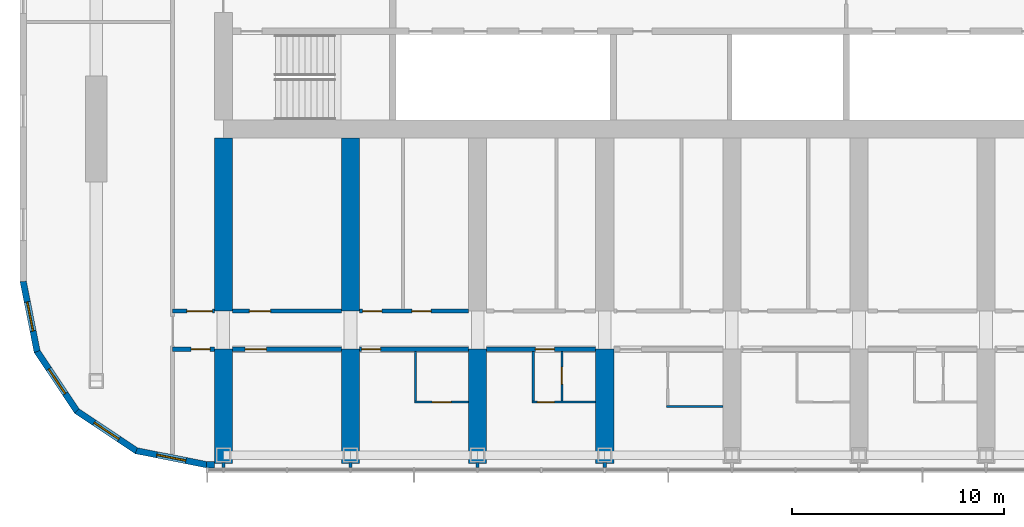
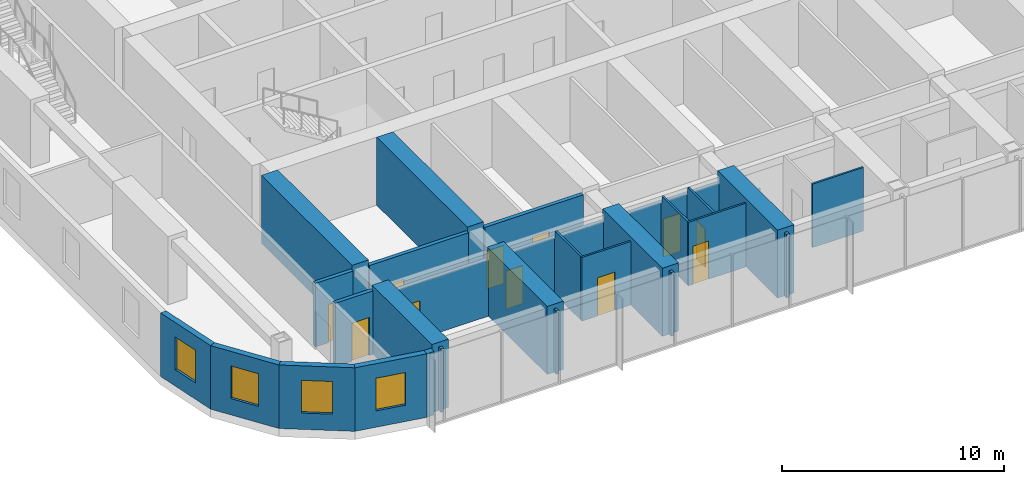
# One storey, part 14 of 29: 28 walls, 11 doors, 4 windows, 15 openings.
"""IFC4 building model written with IfcOpenShell, lengths in metres."""

from ifc_helpers import new_model, si_unit, direction, frame, frame_2d, origin, place, context, subcontext, project, spatial, polyline, rectangle, outline, extrude, material, layer, layer_set, type_object, element, fill, save


model = new_model("IFC4")

# Units and contexts
model_context = context("Model", 3, precision=1e-05, world=origin(), true_north=direction((0.0, 1.0)))
body_context = subcontext(model_context, "Body", "Model", "MODEL_VIEW")
ifc_project = project(units=[si_unit("LENGTHUNIT", "METRE"), si_unit("AREAUNIT", "SQUARE_METRE"), si_unit("VOLUMEUNIT", "CUBIC_METRE"), si_unit("PLANEANGLEUNIT", "RADIAN"), si_unit("MASSUNIT", "GRAM", prefix="KILO")], contexts=[model_context])

# Site, building, storey
site_placement = place(None, origin())
site = spatial("IfcSite", under=ifc_project, at=site_placement, CompositionType="ELEMENT")
building_placement = place(site_placement, origin())
building = spatial("IfcBuilding", under=site, at=building_placement, Name="Orbita Commons", CompositionType="ELEMENT")
storey_placement = place(building_placement, frame((0.0, 0.0, 148.60009765625)))
storey = spatial("IfcBuildingStorey", under=building, at=storey_placement, Name="L36", CompositionType="ELEMENT", Elevation=148.60009765625)

# Wall, opening, door
ifc_material_1 = material(Name="Concrete blockwork", Category="masonry")
ifc_layer_1 = layer(ifc_material_1, 0.199951171875)
ifc_layer_set_1 = layer_set([ifc_layer_1], Name="Concrete blockwork")
wall_type_1 = type_object("IfcWallType", Name="Corridor wall 200 blockwork", PredefinedType="SOLIDWALL", material=ifc_layer_set_1)
wall_1_placement = place(storey_placement, frame((15.60009765625, 15.39990234375, 0.0), z_axis=(0.0, 0.0, 1.0), x_axis=(1.0, 0.0, 0.0)))
wall_1 = element("IfcWall", 1, at=wall_1_placement, inside=storey, type_object=wall_type_1, Name="Corridor wall 200 blockwork L36", PredefinedType="SOLIDWALL", context=body_context, shape_type="SweptSolid", body=[
    extrude(rectangle(XDim=1.974853515625, YDim=0.199951171875, at=frame_2d((0.9873046875, 0.0))), origin(), (0.0, 0.0, 1.0), 3.5),
])
opening_1_placement = place(wall_1_placement, frame((0.875, 0.0, 0.0)))
opening_1 = element("IfcOpeningElement", 2, at=opening_1_placement, cuts=wall_1, Name="Opening D05", PredefinedType="OPENING", context=body_context, shape_type="SweptSolid", body=[
    extrude(rectangle(XDim=0.89990234375, YDim=2.10009765625, at=frame_2d((0.449951171875, 1.050048828125))), frame((0.0, 0.10986328125, 0.0), z_axis=(0.0, -1.0, 0.0), x_axis=(1.0, 0.0, 0.0)), (0.0, 0.0, 1.0), 0.219970703125),
])
ifc_material_2 = material(Name="Steel-faced fire door leaf", Category="steel")
door_type_1 = type_object("IfcDoorType", Name="Service door 20 min 900x2100", OperationType="SINGLE_SWING_LEFT", PredefinedType="DOOR", material=ifc_material_2)
door_1_placement = place(opening_1_placement, origin())
door_1 = element("IfcDoor", 3, at=door_1_placement, inside=storey, type_object=door_type_1, Name="Linen store L36-KWS door", OperationType="SINGLE_SWING_LEFT", OverallHeight=2.10009765625, OverallWidth=0.89990234375, PredefinedType="DOOR", context=body_context, shape_type="SweptSolid", body=[
    extrude(rectangle(XDim=0.89990234375, YDim=2.10009765625, at=frame_2d((0.449951171875, 1.050048828125))), frame((0.0, 0.02490234375, 0.0), z_axis=(0.0, -1.0, 0.0), x_axis=(1.0, 0.0, 0.0)), (0.0, 0.0, 1.0), 0.050048828125),
])
fill(opening_1, door_1)

wall_2_placement = place(storey_placement, frame((18.425048828125, 15.39990234375, 0.0), z_axis=(0.0, 0.0, 1.0), x_axis=(1.0, 0.0, 0.0)))
wall_2 = element("IfcWall", 4, at=wall_2_placement, inside=storey, type_object=wall_type_1, Name="Corridor wall 200 blockwork L36", PredefinedType="SOLIDWALL", context=body_context, shape_type="SweptSolid", body=[
    extrude(outline(polyline([(0.0, 0.0), (5.14990234375, 0.0), (5.14990234375, 3.099853515625), (0.0, 3.099853515625), (0.0, 0.0)])), frame((0.0, 0.10009765625, 0.0), z_axis=(0.0, -1.0, 0.0), x_axis=(1.0, 0.0, 0.0)), (0.0, 0.0, 1.0), 0.199951171875),
])
opening_2_placement = place(wall_2_placement, frame((0.60009765625, 0.0, 0.0)))
opening_2 = element("IfcOpeningElement", 5, at=opening_2_placement, cuts=wall_2, Name="Opening D06", PredefinedType="OPENING", context=body_context, shape_type="SweptSolid", body=[
    extrude(rectangle(XDim=1.0, YDim=2.10009765625, at=frame_2d((0.5, 1.050048828125))), frame((0.0, 0.10986328125, 0.0), z_axis=(0.0, -1.0, 0.0), x_axis=(1.0, 0.0, 0.0)), (0.0, 0.0, 1.0), 0.219970703125),
])
ifc_material_3 = material(Name="Steel-faced fire door leaf", Category="steel")
door_type_2 = type_object("IfcDoorType", Name="Corridor door 20 min 1000x2100", OperationType="SINGLE_SWING_LEFT", PredefinedType="DOOR", material=ifc_material_3)
door_2_placement = place(opening_2_placement, origin())
door_2 = element("IfcDoor", 6, at=door_2_placement, inside=storey, type_object=door_type_2, Name="Mountain-view lounge L36-S00 door", OperationType="SINGLE_SWING_LEFT", OverallHeight=2.10009765625, OverallWidth=1.0, PredefinedType="DOOR", context=body_context, shape_type="SweptSolid", body=[
    extrude(rectangle(XDim=1.0, YDim=2.10009765625, at=frame_2d((0.5, 1.050048828125))), frame((0.0, 0.02490234375, 0.0), z_axis=(0.0, -1.0, 0.0), x_axis=(1.0, 0.0, 0.0)), (0.0, 0.0, 1.0), 0.050048828125),
])
fill(opening_2, door_2)

wall_3_placement = place(storey_placement, frame((24.425048828125, 15.39990234375, 0.0), z_axis=(0.0, 0.0, 1.0), x_axis=(1.0, 0.0, 0.0)))
wall_3 = element("IfcWall", 7, at=wall_3_placement, inside=storey, type_object=wall_type_1, Name="Corridor wall 200 blockwork L36", PredefinedType="SOLIDWALL", context=body_context, shape_type="SweptSolid", body=[
    extrude(outline(polyline([(0.0, 0.0), (5.14990234375, 0.0), (5.14990234375, 3.099853515625), (0.0, 3.099853515625), (0.0, 0.0)])), frame((0.0, 0.10009765625, 0.0), z_axis=(0.0, -1.0, 0.0), x_axis=(1.0, 0.0, 0.0)), (0.0, 0.0, 1.0), 0.199951171875),
])
opening_3_placement = place(wall_3_placement, frame((0.10009765625, 0.0, 0.0)))
opening_3 = element("IfcOpeningElement", 8, at=opening_3_placement, cuts=wall_3, Name="Opening D11", PredefinedType="OPENING", context=body_context, shape_type="SweptSolid", body=[
    extrude(rectangle(XDim=0.89990234375, YDim=2.10009765625, at=frame_2d((0.449951171875, 1.050048828125))), frame((0.0, 0.10986328125, 0.0), z_axis=(0.0, -1.0, 0.0), x_axis=(1.0, 0.0, 0.0)), (0.0, 0.0, 1.0), 0.219970703125),
])
ifc_material_4 = material(Name="Steel-faced fire door leaf", Category="steel")
door_type_3 = type_object("IfcDoorType", Name="Corridor door 20 min 900x2100", OperationType="SINGLE_SWING_LEFT", PredefinedType="DOOR", material=ifc_material_4)
door_3_placement = place(opening_3_placement, origin())
door_3 = element("IfcDoor", 9, at=door_3_placement, inside=storey, type_object=door_type_3, Name="Twin room L36-S02 door", OperationType="SINGLE_SWING_LEFT", OverallHeight=2.10009765625, OverallWidth=0.89990234375, PredefinedType="DOOR", context=body_context, shape_type="SweptSolid", body=[
    extrude(rectangle(XDim=0.89990234375, YDim=2.10009765625, at=frame_2d((0.449951171875, 1.050048828125))), frame((0.0, 0.02490234375, 0.0), z_axis=(0.0, -1.0, 0.0), x_axis=(1.0, 0.0, 0.0)), (0.0, 0.0, 1.0), 0.050048828125),
])
fill(opening_3, door_3)

wall_4_placement = place(storey_placement, frame((30.425048828125, 15.39990234375, 0.0), z_axis=(0.0, 0.0, 1.0), x_axis=(1.0, 0.0, 0.0)))
wall_4 = element("IfcWall", 10, at=wall_4_placement, inside=storey, type_object=wall_type_1, Name="Corridor wall 200 blockwork L36", PredefinedType="SOLIDWALL", context=body_context, shape_type="SweptSolid", body=[
    extrude(outline(polyline([(0.0, 0.0), (5.14990234375, 0.0), (5.14990234375, 3.099853515625), (0.0, 3.099853515625), (0.0, 0.0)])), frame((0.0, 0.10009765625, 0.0), z_axis=(0.0, -1.0, 0.0), x_axis=(1.0, 0.0, 0.0)), (0.0, 0.0, 1.0), 0.199951171875),
])
opening_4_placement = place(wall_4_placement, frame((2.300048828125, 0.0, 0.0)))
opening_4 = element("IfcOpeningElement", 11, at=opening_4_placement, cuts=wall_4, Name="Opening D11", PredefinedType="OPENING", context=body_context, shape_type="SweptSolid", body=[
    extrude(rectangle(XDim=0.89990234375, YDim=2.10009765625, at=frame_2d((0.449951171875, 1.050048828125))), frame((0.0, 0.10986328125, 0.0), z_axis=(0.0, -1.0, 0.0), x_axis=(1.0, 0.0, 0.0)), (0.0, 0.0, 1.0), 0.219970703125),
])
door_4_placement = place(opening_4_placement, origin())
door_4 = element("IfcDoor", 12, at=door_4_placement, inside=storey, type_object=door_type_3, Name="Studio flat L36-S04 entrance door", OperationType="SINGLE_SWING_LEFT", OverallHeight=2.10009765625, OverallWidth=0.89990234375, PredefinedType="DOOR", context=body_context, shape_type="SweptSolid", body=[
    extrude(rectangle(XDim=0.89990234375, YDim=2.10009765625, at=frame_2d((0.449951171875, 1.050048828125))), frame((0.0, 0.02490234375, 0.0), z_axis=(0.0, -1.0, 0.0), x_axis=(1.0, 0.0, 0.0)), (0.0, 0.0, 1.0), 0.050048828125),
])
fill(opening_4, door_4)

ifc_material_5 = material(Name="Hollow concrete block 200", Category="concrete")
ifc_layer_2 = layer(ifc_material_5, 0.199951171875)
ifc_layer_set_2 = layer_set([ifc_layer_2], Name="Hollow concrete block 200")
wall_type_2 = type_object("IfcWallType", Name="Corridor wall 200 hollow concrete block", PredefinedType="SOLIDWALL", material=ifc_layer_set_2)
wall_5_placement = place(storey_placement, frame((15.60009765625, 17.199951171875, 0.0), z_axis=(0.0, 0.0, 1.0), x_axis=(1.0, 0.0, 0.0)))
wall_5 = element("IfcWall", 13, at=wall_5_placement, inside=storey, type_object=wall_type_2, Name="Corridor wall 200 hollow concrete block L36", PredefinedType="SOLIDWALL", context=body_context, shape_type="SweptSolid", body=[
    extrude(rectangle(XDim=1.974853515625, YDim=0.199951171875, at=frame_2d((0.9873046875, 0.0))), origin(), (0.0, 0.0, 1.0), 3.5),
])
opening_5_placement = place(wall_5_placement, frame((0.675048828125, 0.0, 0.0)))
opening_5 = element("IfcOpeningElement", 14, at=opening_5_placement, cuts=wall_5, Name="Opening D12", PredefinedType="OPENING", context=body_context, shape_type="SweptSolid", body=[
    extrude(rectangle(XDim=1.199951171875, YDim=2.10009765625, at=frame_2d((0.60009765625, 1.050048828125))), frame((0.0, 0.10986328125, 0.0), z_axis=(0.0, -1.0, 0.0), x_axis=(1.0, 0.0, 0.0)), (0.0, 0.0, 1.0), 0.219970703125),
])
ifc_material_6 = material(Name="Steel-faced fire door leaf", Category="steel")
door_type_4 = type_object("IfcDoorType", Name="Double corridor door 20 min 1200x2100", OperationType="DOUBLE_DOOR_SINGLE_SWING", PredefinedType="DOOR", material=ifc_material_6)
door_5_placement = place(opening_5_placement, origin())
door_5 = element("IfcDoor", 15, at=door_5_placement, inside=storey, type_object=door_type_4, Name="Cross corridor doors", OperationType="DOUBLE_DOOR_SINGLE_SWING", OverallHeight=2.10009765625, OverallWidth=1.199951171875, PredefinedType="DOOR", context=body_context, shape_type="SweptSolid", body=[
    extrude(rectangle(XDim=1.199951171875, YDim=2.10009765625, at=frame_2d((0.60009765625, 1.050048828125))), frame((0.0, 0.02490234375, 0.0), z_axis=(0.0, -1.0, 0.0), x_axis=(1.0, 0.0, 0.0)), (0.0, 0.0, 1.0), 0.050048828125),
])
fill(opening_5, door_5)

wall_6_placement = place(storey_placement, frame((18.425048828125, 17.199951171875, 0.0), z_axis=(0.0, 0.0, 1.0), x_axis=(1.0, 0.0, 0.0)))
wall_6 = element("IfcWall", 16, at=wall_6_placement, inside=storey, type_object=wall_type_2, Name="Corridor wall 200 hollow concrete block L36", PredefinedType="SOLIDWALL", context=body_context, shape_type="SweptSolid", body=[
    extrude(rectangle(XDim=5.14990234375, YDim=0.199951171875, at=frame_2d((2.574951171875, 0.0))), origin(), (0.0, 0.0, 1.0), 3.5),
])
opening_6_placement = place(wall_6_placement, frame((0.800048828125, 0.0, 0.0)))
opening_6 = element("IfcOpeningElement", 17, at=opening_6_placement, cuts=wall_6, Name="Opening D06", PredefinedType="OPENING", context=body_context, shape_type="SweptSolid", body=[
    extrude(rectangle(XDim=1.0, YDim=2.10009765625, at=frame_2d((0.5, 1.050048828125))), frame((0.0, 0.10986328125, 0.0), z_axis=(0.0, -1.0, 0.0), x_axis=(1.0, 0.0, 0.0)), (0.0, 0.0, 1.0), 0.219970703125),
])
door_6_placement = place(opening_6_placement, origin())
door_6 = element("IfcDoor", 18, at=door_6_placement, inside=storey, type_object=door_type_2, Name="Drying room L36-BDS18 door", OperationType="SINGLE_SWING_LEFT", OverallHeight=2.10009765625, OverallWidth=1.0, PredefinedType="DOOR", context=body_context, shape_type="SweptSolid", body=[
    extrude(rectangle(XDim=1.0, YDim=2.10009765625, at=frame_2d((0.5, 1.050048828125))), frame((0.0, 0.02490234375, 0.0), z_axis=(0.0, -1.0, 0.0), x_axis=(1.0, 0.0, 0.0)), (0.0, 0.0, 1.0), 0.050048828125),
])
fill(opening_6, door_6)

# Wall, openings, doors
wall_7_placement = place(storey_placement, frame((24.425048828125, 17.199951171875, 0.0), z_axis=(0.0, 0.0, 1.0), x_axis=(1.0, 0.0, 0.0)))
wall_7 = element("IfcWall", 19, at=wall_7_placement, inside=storey, type_object=wall_type_2, Name="Corridor wall 200 hollow concrete block L36", PredefinedType="SOLIDWALL", context=body_context, shape_type="SweptSolid", body=[
    extrude(rectangle(XDim=5.14990234375, YDim=0.199951171875, at=frame_2d((2.574951171875, 0.0))), origin(), (0.0, 0.0, 1.0), 3.5),
])
opening_7_placement = place(wall_7_placement, frame((0.14990234375, 0.0, 0.0)))
opening_7 = element("IfcOpeningElement", 20, at=opening_7_placement, cuts=wall_7, Name="Opening D11", PredefinedType="OPENING", context=body_context, shape_type="SweptSolid", body=[
    extrude(rectangle(XDim=0.89990234375, YDim=2.10009765625, at=frame_2d((0.449951171875, 1.050048828125))), frame((0.0, 0.10986328125, 0.0), z_axis=(0.0, -1.0, 0.0), x_axis=(1.0, 0.0, 0.0)), (0.0, 0.0, 1.0), 0.219970703125),
])
opening_8_placement = place(wall_7_placement, frame((2.47509765625, 0.0, 0.0)))
opening_8 = element("IfcOpeningElement", 21, at=opening_8_placement, cuts=wall_7, Name="Opening D11", PredefinedType="OPENING", context=body_context, shape_type="SweptSolid", body=[
    extrude(rectangle(XDim=0.89990234375, YDim=2.10009765625, at=frame_2d((0.449951171875, 1.050048828125))), frame((0.0, 0.10986328125, 0.0), z_axis=(0.0, -1.0, 0.0), x_axis=(1.0, 0.0, 0.0)), (0.0, 0.0, 1.0), 0.219970703125),
])
door_7_placement = place(opening_7_placement, origin())
door_7 = element("IfcDoor", 22, at=door_7_placement, inside=storey, type_object=door_type_3, Name="Media room L36-BDS24 door", OperationType="SINGLE_SWING_LEFT", OverallHeight=2.10009765625, OverallWidth=0.89990234375, PredefinedType="DOOR", context=body_context, shape_type="SweptSolid", body=[
    extrude(rectangle(XDim=0.89990234375, YDim=2.10009765625, at=frame_2d((0.449951171875, 1.050048828125))), frame((0.0, 0.02490234375, 0.0), z_axis=(0.0, -1.0, 0.0), x_axis=(1.0, 0.0, 0.0)), (0.0, 0.0, 1.0), 0.050048828125),
])
fill(opening_7, door_7)
door_8_placement = place(opening_8_placement, origin())
door_8 = element("IfcDoor", 23, at=door_8_placement, inside=storey, type_object=door_type_3, Name="Accessible WC and shower room L36-BDS24n door", OperationType="SINGLE_SWING_LEFT", OverallHeight=2.10009765625, OverallWidth=0.89990234375, PredefinedType="DOOR", context=body_context, shape_type="SweptSolid", body=[
    extrude(rectangle(XDim=0.89990234375, YDim=2.10009765625, at=frame_2d((0.449951171875, 1.050048828125))), frame((0.0, 0.02490234375, 0.0), z_axis=(0.0, -1.0, 0.0), x_axis=(1.0, 0.0, 0.0)), (0.0, 0.0, 1.0), 0.050048828125),
])
fill(opening_8, door_8)

# Walls
ifc_material_7 = material(Name="Concrete C50/60", Category="concrete")
ifc_layer_3 = layer(ifc_material_7, 0.85009765625)
ifc_layer_set_3 = layer_set([ifc_layer_3], Name="Concrete C50/60")
wall_type_3 = type_object("IfcWallType", Name="Cross wall 850 C50/60", PredefinedType="SHEAR", material=ifc_layer_set_3)
wall_8_placement = place(storey_placement, frame((18.0, 10.0, 0.0), z_axis=(0.0, 0.0, 1.0), x_axis=(0.0, 1.0, 0.0)))
element("IfcWall", 24, at=wall_8_placement, inside=storey, type_object=wall_type_3, Name="Cross wall 4 south outer L36", PredefinedType="SHEAR", context=body_context, shape_type="SweptSolid", body=[
    extrude(rectangle(XDim=5.39990234375, YDim=0.85009765625, at=frame_2d((2.699951171875, 0.0))), origin(), (0.0, 0.0, 1.0), 3.75),
])
wall_9_placement = place(storey_placement, frame((18.0, 17.199951171875, 0.0), z_axis=(0.0, 0.0, 1.0), x_axis=(0.0, 1.0, 0.0)))
element("IfcWall", 25, at=wall_9_placement, inside=storey, type_object=wall_type_3, Name="Cross wall 4 south inner L36", PredefinedType="SHEAR", context=body_context, shape_type="SweptSolid", body=[
    extrude(rectangle(XDim=8.175048828125, YDim=0.85009765625, at=frame_2d((4.08740234375, 0.0))), origin(), (0.0, 0.0, 1.0), 3.75),
])
wall_10_placement = place(storey_placement, frame((24.0, 10.0, 0.0), z_axis=(0.0, 0.0, 1.0), x_axis=(0.0, 1.0, 0.0)))
element("IfcWall", 26, at=wall_10_placement, inside=storey, type_object=wall_type_3, Name="Cross wall 5 south outer L36", PredefinedType="SHEAR", context=body_context, shape_type="SweptSolid", body=[
    extrude(rectangle(XDim=5.39990234375, YDim=0.85009765625, at=frame_2d((2.699951171875, 0.0))), origin(), (0.0, 0.0, 1.0), 3.75),
])
wall_11_placement = place(storey_placement, frame((24.0, 17.199951171875, 0.0), z_axis=(0.0, 0.0, 1.0), x_axis=(0.0, 1.0, 0.0)))
element("IfcWall", 27, at=wall_11_placement, inside=storey, type_object=wall_type_3, Name="Cross wall 5 south inner L36", PredefinedType="SHEAR", context=body_context, shape_type="SweptSolid", body=[
    extrude(rectangle(XDim=8.175048828125, YDim=0.85009765625, at=frame_2d((4.08740234375, 0.0))), origin(), (0.0, 0.0, 1.0), 3.75),
])
for number, where, z_axis, x_axis, name in (
    (28, (30.0, 10.0, 0.0), (0.0, 0.0, 1.0), (0.0, 1.0, 0.0), "Cross wall 6 south outer L36"),
    (29, (36.0, 10.0, 0.0), (0.0, 0.0, 1.0), (0.0, 1.0, 0.0), "Cross wall 7 south outer L36"),
):
    element("IfcWall", number, at=place(storey_placement, frame(where, z_axis=z_axis, x_axis=x_axis)), inside=storey, type_object=wall_type_3, Name=name, PredefinedType="SHEAR", context=body_context, shape_type="SweptSolid", body=[
        extrude(rectangle(XDim=5.39990234375, YDim=0.85009765625, at=frame_2d((2.699951171875, 0.0))), origin(), (0.0, 0.0, 1.0), 3.75),
    ])

# Wall, opening, door
ifc_material_8 = material(Name="Moisture-resistant plasterboard on steel studs", Category="steel")
ifc_layer_4 = layer(ifc_material_8, 0.10009765625)
ifc_layer_set_4 = layer_set([ifc_layer_4], Name="Moisture-resistant plasterboard on steel studs")
wall_type_4 = type_object("IfcWallType", Name="En-suite partition 100", PredefinedType="PARTITIONING", material=ifc_layer_set_4)
wall_12_placement = place(storey_placement, frame((29.574951171875, 12.89990234375, 0.0), z_axis=(0.0, 0.0, 1.0), x_axis=(-1.0, 0.0, 0.0)))
wall_12 = element("IfcWall", 30, at=wall_12_placement, inside=storey, type_object=wall_type_4, Name="En-suite partition 100 L36", PredefinedType="PARTITIONING", context=body_context, shape_type="SweptSolid", body=[
    extrude(rectangle(XDim=2.550048828125, YDim=0.10009765625, at=frame_2d((1.27490234375, 0.0))), origin(), (0.0, 0.0, 1.0), 3.5),
])
opening_9_placement = place(wall_12_placement, frame((0.824951171875, 0.0, 0.0)))
opening_9 = element("IfcOpeningElement", 31, at=opening_9_placement, cuts=wall_12, Name="Opening D09", PredefinedType="OPENING", context=body_context, shape_type="SweptSolid", body=[
    extrude(rectangle(XDim=0.89990234375, YDim=2.10009765625, at=frame_2d((0.449951171875, 1.050048828125))), frame((0.0, 0.06005859375, 0.0), z_axis=(0.0, -1.0, 0.0), x_axis=(1.0, 0.0, 0.0)), (0.0, 0.0, 1.0), 0.1201171875),
])
ifc_material_9 = material(Name="Laminated timber door leaf", Category="wood")
door_type_5 = type_object("IfcDoorType", Name="En-suite door 900x2100", OperationType="SINGLE_SWING_RIGHT", PredefinedType="DOOR", material=ifc_material_9)
door_9_placement = place(opening_9_placement, origin())
door_9 = element("IfcDoor", 32, at=door_9_placement, inside=storey, type_object=door_type_5, Name="En-suite L36-S02 door", OperationType="SINGLE_SWING_RIGHT", OverallHeight=2.10009765625, OverallWidth=0.89990234375, PredefinedType="DOOR", context=body_context, shape_type="SweptSolid", body=[
    extrude(rectangle(XDim=0.89990234375, YDim=2.10009765625, at=frame_2d((0.449951171875, 1.050048828125))), frame((0.0, 0.02490234375, 0.0), z_axis=(0.0, -1.0, 0.0), x_axis=(1.0, 0.0, 0.0)), (0.0, 0.0, 1.0), 0.050048828125),
])
fill(opening_9, door_9)

# Wall
wall_13_placement = place(storey_placement, frame((27.074951171875, 12.949951171875, 0.0), z_axis=(0.0, 0.0, 1.0), x_axis=(0.0, 1.0, 0.0)))
element("IfcWall", 33, at=wall_13_placement, inside=storey, type_object=wall_type_4, Name="En-suite partition 100 L36", PredefinedType="PARTITIONING", context=body_context, shape_type="SweptSolid", body=[
    extrude(outline(polyline([(0.0, 0.0), (2.35009765625, 0.0), (2.35009765625, 3.099853515625), (2.302001953125, 3.099853515625), (2.300048828125, 3.5), (0.0, 3.5), (0.0, 0.0)])), frame((0.0, 0.050048828125, 0.0), z_axis=(0.0, -1.0, 0.0), x_axis=(1.0, 0.0, 0.0)), (0.0, 0.0, 1.0), 0.10009765625),
])

# Wall, opening, door
wall_14_placement = place(storey_placement, frame((35.574951171875, 12.89990234375, 0.0), z_axis=(0.0, 0.0, 1.0), x_axis=(-1.0, 0.0, 0.0)))
wall_14 = element("IfcWall", 34, at=wall_14_placement, inside=storey, type_object=wall_type_4, Name="En-suite partition 100 L36", PredefinedType="PARTITIONING", context=body_context, shape_type="SweptSolid", body=[
    extrude(rectangle(XDim=3.0, YDim=0.10009765625, at=frame_2d((1.5, 0.0))), origin(), (0.0, 0.0, 1.0), 3.5),
])
opening_10_placement = place(wall_14_placement, frame((1.949951171875, 0.0, 0.0)))
opening_10 = element("IfcOpeningElement", 35, at=opening_10_placement, cuts=wall_14, Name="Opening D16", PredefinedType="OPENING", context=body_context, shape_type="SweptSolid", body=[
    extrude(rectangle(XDim=0.800048828125, YDim=2.10009765625, at=frame_2d((0.39990234375, 1.050048828125))), frame((0.0, 0.06005859375, 0.0), z_axis=(0.0, -1.0, 0.0), x_axis=(1.0, 0.0, 0.0)), (0.0, 0.0, 1.0), 0.1201171875),
])
ifc_material_10 = material(Name="Laminated timber door leaf", Category="wood")
door_type_6 = type_object("IfcDoorType", Name="En-suite door 800x2100", OperationType="SINGLE_SWING_RIGHT", PredefinedType="DOOR", material=ifc_material_10)
door_10_placement = place(opening_10_placement, origin())
door_10 = element("IfcDoor", 36, at=door_10_placement, inside=storey, type_object=door_type_6, Name="Studio flat L36-S04 door", OperationType="SINGLE_SWING_RIGHT", OverallHeight=2.10009765625, OverallWidth=0.800048828125, PredefinedType="DOOR", context=body_context, shape_type="SweptSolid", body=[
    extrude(rectangle(XDim=0.800048828125, YDim=2.10009765625, at=frame_2d((0.39990234375, 1.050048828125))), frame((0.0, 0.02490234375, 0.0), z_axis=(0.0, -1.0, 0.0), x_axis=(1.0, 0.0, 0.0)), (0.0, 0.0, 1.0), 0.050048828125),
])
fill(opening_10, door_10)

# Wall
wall_15_placement = place(storey_placement, frame((32.625, 12.949951171875, 0.0), z_axis=(0.0, 0.0, 1.0), x_axis=(0.0, 1.0, 0.0)))
element("IfcWall", 37, at=wall_15_placement, inside=storey, type_object=wall_type_4, Name="En-suite partition 100 L36", PredefinedType="PARTITIONING", context=body_context, shape_type="SweptSolid", body=[
    extrude(outline(polyline([(0.0, 0.0), (2.35009765625, 0.0), (2.35009765625, 3.099853515625), (2.302001953125, 3.099853515625), (2.300048828125, 3.5), (0.0, 3.5), (0.0, 0.0)])), frame((0.0, 0.050048828125, 0.0), z_axis=(0.0, -1.0, 0.0), x_axis=(1.0, 0.0, 0.0)), (0.0, 0.0, 1.0), 0.10009765625),
])

# Wall, opening, door
wall_16_placement = place(storey_placement, frame((33.97509765625, 12.949951171875, 0.0), z_axis=(0.0, 0.0, 1.0), x_axis=(0.0, 1.0, 0.0)))
wall_16 = element("IfcWall", 38, at=wall_16_placement, inside=storey, type_object=wall_type_4, Name="En-suite partition 100 L36", PredefinedType="PARTITIONING", context=body_context, shape_type="SweptSolid", body=[
    extrude(outline(polyline([(0.0, 0.0), (2.35009765625, 0.0), (2.35009765625, 3.099853515625), (2.302001953125, 3.099853515625), (2.300048828125, 3.5), (0.0, 3.5), (0.0, 0.0)])), frame((0.0, 0.050048828125, 0.0), z_axis=(0.0, -1.0, 0.0), x_axis=(1.0, 0.0, 0.0)), (0.0, 0.0, 1.0), 0.10009765625),
])
opening_11_placement = place(wall_16_placement, frame((0.800048828125, 0.0, 0.0)))
opening_11 = element("IfcOpeningElement", 39, at=opening_11_placement, cuts=wall_16, Name="Opening D16", PredefinedType="OPENING", context=body_context, shape_type="SweptSolid", body=[
    extrude(rectangle(XDim=0.800048828125, YDim=2.10009765625, at=frame_2d((0.39990234375, 1.050048828125))), frame((0.0, 0.06005859375, 0.0), z_axis=(0.0, -1.0, 0.0), x_axis=(1.0, 0.0, 0.0)), (0.0, 0.0, 1.0), 0.1201171875),
])
door_11_placement = place(opening_11_placement, origin())
door_11 = element("IfcDoor", 40, at=door_11_placement, inside=storey, type_object=door_type_6, Name="Studio flat shower room L36-S04 door", OperationType="SINGLE_SWING_RIGHT", OverallHeight=2.10009765625, OverallWidth=0.800048828125, PredefinedType="DOOR", context=body_context, shape_type="SweptSolid", body=[
    extrude(rectangle(XDim=0.800048828125, YDim=2.10009765625, at=frame_2d((0.39990234375, 1.050048828125))), frame((0.0, 0.02490234375, 0.0), z_axis=(0.0, -1.0, 0.0), x_axis=(1.0, 0.0, 0.0)), (0.0, 0.0, 1.0), 0.050048828125),
])
fill(opening_11, door_11)

# Walls
wall_17_placement = place(storey_placement, frame((38.925048828125, 12.699951171875, 0.0), z_axis=(0.0, 0.0, 1.0), x_axis=(1.0, 0.0, 0.0)))
element("IfcWall", 41, at=wall_17_placement, inside=storey, type_object=wall_type_4, Name="En-suite partition 100 L36", PredefinedType="PARTITIONING", context=body_context, shape_type="SweptSolid", body=[
    extrude(rectangle(XDim=2.64990234375, YDim=0.10009765625, at=frame_2d((1.324951171875, 0.0))), origin(), (0.0, 0.0, 1.0), 3.5),
])
ifc_material_11 = material(Name="Gypsum plasterboard on steel studs", Category="steel")
ifc_layer_5 = layer(ifc_material_11, 0.14990234375)
ifc_layer_set_5 = layer_set([ifc_layer_5], Name="Gypsum plasterboard on steel studs")
wall_type_5 = type_object("IfcWallType", Name="Partition 150 plasterboard", PredefinedType="PARTITIONING", material=ifc_layer_set_5)
for number, where, z_axis, x_axis, name in (
    (42, (18.0, 10.050048828125, 0.0), (0.0, 0.0, 1.0), (0.0, -1.0, 0.0), "Partition 150 plasterboard L36"),
    (43, (24.0, 10.050048828125, 0.0), (0.0, 0.0, 1.0), (0.0, -1.0, 0.0), "Partition 150 plasterboard L36"),
    (44, (30.0, 10.050048828125, 0.0), (0.0, 0.0, 1.0), (0.0, -1.0, 0.0), "Partition 150 plasterboard L36"),
    (45, (36.0, 10.050048828125, 0.0), (0.0, 0.0, 1.0), (0.0, -1.0, 0.0), "Partition 150 plasterboard L36"),
):
    element("IfcWall", number, at=place(storey_placement, frame(where, z_axis=z_axis, x_axis=x_axis)), inside=storey, type_object=wall_type_5, Name=name, PredefinedType="PARTITIONING", context=body_context, shape_type="SweptSolid", body=[
        extrude(rectangle(XDim=0.239990234375, YDim=0.14990234375, at=frame_2d((0.1201171875, 0.0))), origin(), (0.0, 0.0, 1.0), 3.5),
    ])

# Wall, opening, window
ifc_material_12 = material(Name="Precast concrete C40/50, white board-marked finish", Category="concrete")
ifc_layer_6 = layer(ifc_material_12, 0.300048828125)
ifc_layer_set_6 = layer_set([ifc_layer_6], Name="Precast concrete C40/50, white board-marked finish")
wall_type_6 = type_object("IfcWallType", Name="Precast concrete end shield 300", PredefinedType="SOLIDWALL", material=ifc_layer_set_6)
wall_18_placement = place(storey_placement, frame((8.550048828125, 18.60009765625, 0.0), z_axis=(0.0, 0.0, 1.0), x_axis=(0.19508664885, -0.980786011034, 0.0)))
wall_18 = element("IfcWall", 46, at=wall_18_placement, inside=storey, type_object=wall_type_6, Name="End shield SW chord 1 L36", PredefinedType="SOLIDWALL", context=body_context, shape_type="SweptSolid", body=[
    extrude(outline(polyline([(-0.014892578125, -0.14990234375), (3.405029296875, -0.14990234375), (3.345458984375, 0.14990234375), (0.014892578125, 0.14990234375), (-0.014892578125, -0.14990234375)])), origin(), (0.0, 0.0, 1.0), 3.5),
])
opening_12_placement = place(wall_18_placement, frame((0.987548828125, 0.0, 0.89990234375)))
opening_12 = element("IfcOpeningElement", 47, at=opening_12_placement, cuts=wall_18, Name="Opening W02", PredefinedType="OPENING", context=body_context, shape_type="SweptSolid", body=[
    extrude(rectangle(XDim=1.39990234375, YDim=1.800048828125, at=frame_2d((0.699951171875, 0.89990234375))), frame((0.0, 0.159912109375, 0.0), z_axis=(0.0, -1.0, 0.0), x_axis=(1.0, 0.0, 0.0)), (0.0, 0.0, 1.0), 0.320068359375),
])
ifc_material_13 = material(Name="Aluminium frame, clear double glazing", Category="aluminium")
window_type = type_object("IfcWindowType", Name="Deep-set window 1400x1800", PartitioningType="SINGLE_PANEL", PredefinedType="WINDOW", material=ifc_material_13)
window_1_placement = place(opening_12_placement, origin())
window_1 = element("IfcWindow", 48, at=window_1_placement, inside=storey, type_object=window_type, Name="Window L36-SW0", OverallHeight=1.800048828125, OverallWidth=1.39990234375, PartitioningType="SINGLE_PANEL", PredefinedType="WINDOW", context=body_context, shape_type="SweptSolid", body=[
    extrude(rectangle(XDim=1.39990234375, YDim=1.800048828125, at=frame_2d((0.699951171875, 0.89990234375))), frame((0.0, 0.030029296875, 0.0), z_axis=(0.0, -1.0, 0.0), x_axis=(1.0, 0.0, 0.0)), (0.0, 0.0, 1.0), 0.06005859375),
])
fill(opening_12, window_1)

wall_19_placement = place(storey_placement, frame((9.20849609375, 15.289794921875, 0.0), z_axis=(0.0, 0.0, 1.0), x_axis=(0.555534554399, -0.831493450887, 0.0)))
wall_19 = element("IfcWall", 49, at=wall_19_placement, inside=storey, type_object=wall_type_6, Name="End shield SW chord 2 L36", PredefinedType="SOLIDWALL", context=body_context, shape_type="SweptSolid", body=[
    extrude(outline(polyline([(-0.02978515625, -0.14990234375), (3.405029296875, -0.14990234375), (3.345458984375, 0.14990234375), (0.02978515625, 0.14990234375), (-0.02978515625, -0.14990234375)])), origin(), (0.0, 0.0, 1.0), 3.5),
])
opening_13_placement = place(wall_19_placement, frame((0.987548828125, 0.0, 0.89990234375)))
opening_13 = element("IfcOpeningElement", 50, at=opening_13_placement, cuts=wall_19, Name="Opening W02", PredefinedType="OPENING", context=body_context, shape_type="SweptSolid", body=[
    extrude(rectangle(XDim=1.39990234375, YDim=1.800048828125, at=frame_2d((0.699951171875, 0.89990234375))), frame((0.0, 0.159912109375, 0.0), z_axis=(0.0, -1.0, 0.0), x_axis=(1.0, 0.0, 0.0)), (0.0, 0.0, 1.0), 0.320068359375),
])
window_2_placement = place(opening_13_placement, origin())
window_2 = element("IfcWindow", 51, at=window_2_placement, inside=storey, type_object=window_type, Name="Window L36-SW1", OverallHeight=1.800048828125, OverallWidth=1.39990234375, PartitioningType="SINGLE_PANEL", PredefinedType="WINDOW", context=body_context, shape_type="SweptSolid", body=[
    extrude(rectangle(XDim=1.39990234375, YDim=1.800048828125, at=frame_2d((0.699951171875, 0.89990234375))), frame((0.0, 0.030029296875, 0.0), z_axis=(0.0, -1.0, 0.0), x_axis=(1.0, 0.0, 0.0)), (0.0, 0.0, 1.0), 0.06005859375),
])
fill(opening_13, window_2)

wall_20_placement = place(storey_placement, frame((11.08349609375, 12.4833984375, 0.0), z_axis=(0.0, 0.0, 1.0), x_axis=(0.831493450887, -0.555534554399, 0.0)))
wall_20 = element("IfcWall", 52, at=wall_20_placement, inside=storey, type_object=wall_type_6, Name="End shield SW chord 3 L36", PredefinedType="SOLIDWALL", context=body_context, shape_type="SweptSolid", body=[
    extrude(outline(polyline([(-0.02978515625, -0.14990234375), (3.405029296875, -0.14990234375), (3.345458984375, 0.14990234375), (0.02978515625, 0.14990234375), (-0.02978515625, -0.14990234375)])), origin(), (0.0, 0.0, 1.0), 3.5),
])
opening_14_placement = place(wall_20_placement, frame((0.987548828125, 0.0, 0.89990234375)))
opening_14 = element("IfcOpeningElement", 53, at=opening_14_placement, cuts=wall_20, Name="Opening W02", PredefinedType="OPENING", context=body_context, shape_type="SweptSolid", body=[
    extrude(rectangle(XDim=1.39990234375, YDim=1.800048828125, at=frame_2d((0.699951171875, 0.89990234375))), frame((0.0, 0.159912109375, 0.0), z_axis=(0.0, -1.0, 0.0), x_axis=(1.0, 0.0, 0.0)), (0.0, 0.0, 1.0), 0.320068359375),
])
window_3_placement = place(opening_14_placement, origin())
window_3 = element("IfcWindow", 54, at=window_3_placement, inside=storey, type_object=window_type, Name="Window L36-SW2", OverallHeight=1.800048828125, OverallWidth=1.39990234375, PartitioningType="SINGLE_PANEL", PredefinedType="WINDOW", context=body_context, shape_type="SweptSolid", body=[
    extrude(rectangle(XDim=1.39990234375, YDim=1.800048828125, at=frame_2d((0.699951171875, 0.89990234375))), frame((0.0, 0.030029296875, 0.0), z_axis=(0.0, -1.0, 0.0), x_axis=(1.0, 0.0, 0.0)), (0.0, 0.0, 1.0), 0.06005859375),
])
fill(opening_14, window_3)

wall_21_placement = place(storey_placement, frame((13.889892578125, 10.6083984375, 0.0), z_axis=(0.0, 0.0, 1.0), x_axis=(0.98078325777, -0.195100490205, 0.0)))
wall_21 = element("IfcWall", 55, at=wall_21_placement, inside=storey, type_object=wall_type_6, Name="End shield SW chord 4 L36", PredefinedType="SOLIDWALL", context=body_context, shape_type="SweptSolid", body=[
    extrude(outline(polyline([(-0.02978515625, -0.14990234375), (3.40478515625, -0.14990234375), (3.34521484375, 0.14990234375), (0.02978515625, 0.14990234375), (-0.02978515625, -0.14990234375)])), origin(), (0.0, 0.0, 1.0), 3.5),
])
opening_15_placement = place(wall_21_placement, frame((0.987548828125, 0.0, 0.89990234375)))
opening_15 = element("IfcOpeningElement", 56, at=opening_15_placement, cuts=wall_21, Name="Opening W02", PredefinedType="OPENING", context=body_context, shape_type="SweptSolid", body=[
    extrude(rectangle(XDim=1.39990234375, YDim=1.800048828125, at=frame_2d((0.699951171875, 0.89990234375))), frame((0.0, 0.159912109375, 0.0), z_axis=(0.0, -1.0, 0.0), x_axis=(1.0, 0.0, 0.0)), (0.0, 0.0, 1.0), 0.320068359375),
])
window_4_placement = place(opening_15_placement, origin())
window_4 = element("IfcWindow", 57, at=window_4_placement, inside=storey, type_object=window_type, Name="Window L36-SW3", OverallHeight=1.800048828125, OverallWidth=1.39990234375, PartitioningType="SINGLE_PANEL", PredefinedType="WINDOW", context=body_context, shape_type="SweptSolid", body=[
    extrude(rectangle(XDim=1.39990234375, YDim=1.800048828125, at=frame_2d((0.699951171875, 0.89990234375))), frame((0.0, 0.030029296875, 0.0), z_axis=(0.0, -1.0, 0.0), x_axis=(1.0, 0.0, 0.0)), (0.0, 0.0, 1.0), 0.06005859375),
])
fill(opening_15, window_4)

# Wall
wall_22_placement = place(storey_placement, frame((17.199951171875, 9.949951171875, 0.0), z_axis=(0.0, 0.0, 1.0), x_axis=(1.0, 0.0, 0.0)))
element("IfcWall", 58, at=wall_22_placement, inside=storey, type_object=wall_type_6, Name="End shield SW closer L36", PredefinedType="SOLIDWALL", context=body_context, shape_type="SweptSolid", body=[
    extrude(rectangle(XDim=0.375, YDim=0.300048828125, at=frame_2d((0.1875, 0.0))), origin(), (0.0, 0.0, 1.0), 3.5),
])

save(model, "model.ifc")
